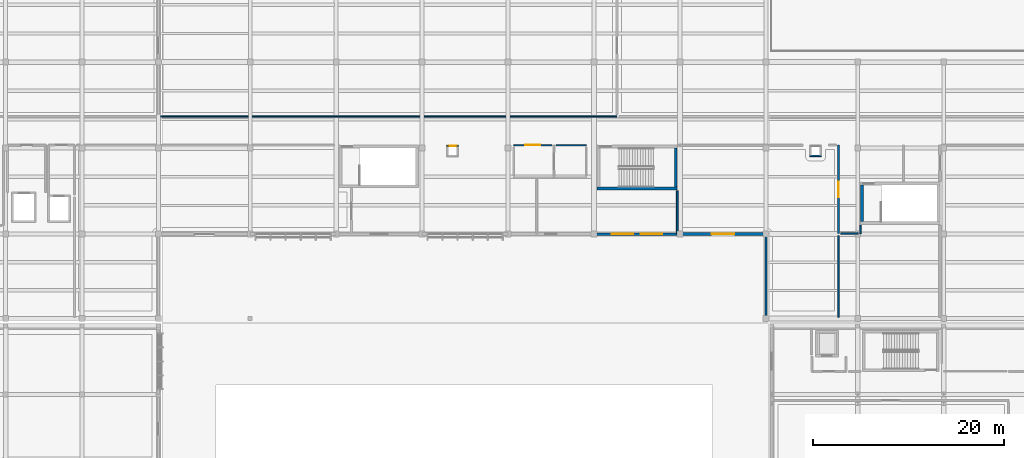
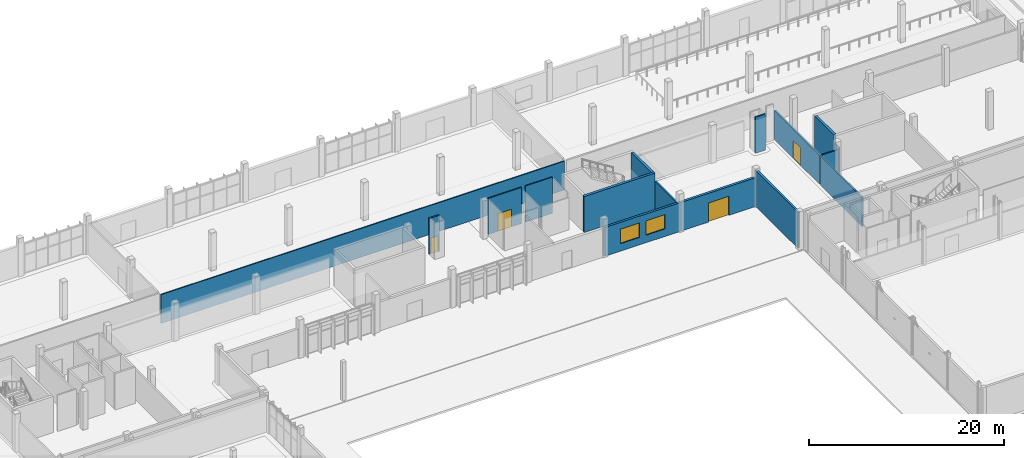
# One storey, part 124 of 151: 16 walls, 4 doors, 2 windows, 6 openings.
"""IFC4 building model written with IfcOpenShell, lengths in metres."""

from ifc_helpers import new_model, si_unit, direction, frame, frame_2d, origin, place, context, subcontext, project, spatial, rectangle, extrude, material, layer, layer_set, type_object, element, fill, save


model = new_model("IFC4")

# Units and contexts
model_context = context("Model", 3, precision=1e-05, world=origin(), true_north=direction((0.0, 1.0)))
body_context = subcontext(model_context, "Body", "Model", "MODEL_VIEW")
ifc_project = project(units=[si_unit("LENGTHUNIT", "METRE"), si_unit("AREAUNIT", "SQUARE_METRE"), si_unit("VOLUMEUNIT", "CUBIC_METRE"), si_unit("PLANEANGLEUNIT", "RADIAN"), si_unit("MASSUNIT", "GRAM", prefix="KILO")], contexts=[model_context])

# Site, building, storey
site_placement = place(None, origin())
site = spatial("IfcSite", under=ifc_project, at=site_placement, CompositionType="ELEMENT")
building_placement = place(site_placement, origin())
building = spatial("IfcBuilding", under=site, at=building_placement, Name="Chiffa Square Polytechnic", CompositionType="ELEMENT")
storey_placement = place(building_placement, origin())
storey = spatial("IfcBuildingStorey", under=building, at=storey_placement, Name="L00", CompositionType="ELEMENT", Elevation=0.0)

# Walls
ifc_material_1 = material(Name="Concrete C40/50", Category="concrete")
ifc_layer_1 = layer(ifc_material_1, 0.300048828125, Name="Concrete C40/50")
ifc_layer_set_1 = layer_set([ifc_layer_1], Name="Concrete C40/50")
wall_type_1 = type_object("IfcWallType", Name="WL-CORE-300", PredefinedType="SHEAR", material=ifc_layer_set_1)
wall_1_placement = place(storey_placement, frame((93.89990234375, 108.550048828125, 0.0), z_axis=(0.0, 0.0, 1.0), x_axis=(1.0, 0.0, 0.0)))
element("IfcWall", 1, at=wall_1_placement, inside=storey, type_object=wall_type_1, Name="Core or enclosure wall WC-CORE-V5B-L00-SOUTH", PredefinedType="SHEAR", context=body_context, shape_type="SweptSolid", body=[
    extrude(rectangle(XDim=8.400146484375, YDim=0.300048828125, at=frame_2d((4.2001953125, 0.0))), origin(), (0.0, 0.0, 1.0), 4.52001953125),
])
wall_2_placement = place(storey_placement, frame((102.14990234375, 108.699951171875, 0.0), z_axis=(0.0, 0.0, 1.0), x_axis=(0.0, 1.0, 0.0)))
element("IfcWall", 2, at=wall_2_placement, inside=storey, type_object=wall_type_1, Name="Core or enclosure wall WC-CORE-V5B-L00-EAST", PredefinedType="SHEAR", context=body_context, shape_type="SweptSolid", body=[
    extrude(rectangle(XDim=4.10009765625, YDim=0.300048828125, at=frame_2d((2.050048828125, 0.0))), origin(), (0.0, 0.0, 1.0), 4.52001953125),
])
wall_3_placement = place(storey_placement, frame((121.64990234375, 105.10009765625, 0.0), z_axis=(0.0, 0.0, 1.0), x_axis=(0.0, 1.0, 0.0)))
element("IfcWall", 3, at=wall_3_placement, inside=storey, type_object=wall_type_1, Name="Core or enclosure wall WC-CORE-B1E-L00-WEST", PredefinedType="SHEAR", context=body_context, shape_type="SweptSolid", body=[
    extrude(rectangle(XDim=3.849853515625, YDim=0.300048828125, at=frame_2d((1.9248046875, 0.0))), origin(), (0.0, 0.0, 1.0), 4.60009765625),
])

# Wall, openings, windows
ifc_material_2 = material(Name="Precast concrete C40/50", Category="concrete")
ifc_layer_2 = layer(ifc_material_2, 0.260009765625, Name="Precast concrete C40/50")
ifc_layer_set_2 = layer_set([ifc_layer_2], Name="Precast concrete C40/50")
wall_type_2 = type_object("IfcWallType", Name="WL-EXT-PC260", PredefinedType="SOLIDWALL", material=ifc_layer_set_2)
wall_4_placement = place(storey_placement, frame((93.60009765625, 103.800048828125, 0.0), z_axis=(0.0, 0.0, 1.0), x_axis=(1.0, 0.0, 0.0)))
wall_4 = element("IfcWall", 4, at=wall_4_placement, inside=storey, type_object=wall_type_2, Name="Exterior wall WE-V5-L00-0228", PredefinedType="SOLIDWALL", context=body_context, shape_type="SweptSolid", body=[
    extrude(rectangle(XDim=9.0, YDim=0.260009765625, at=frame_2d((4.5, 0.0))), origin(), (0.0, 0.0, 1.0), 3.60498046875),
])
opening_1_placement = place(wall_4_placement, frame((1.875, 0.0, 0.949951171875)))
opening_1 = element("IfcOpeningElement", 5, at=opening_1_placement, cuts=wall_4, Name="Opening W-02", PredefinedType="OPENING", context=body_context, shape_type="SweptSolid", body=[
    extrude(rectangle(XDim=2.25, YDim=1.800048828125, at=frame_2d((1.125, 0.89990234375))), frame((0.0, 0.14013671875, 0.0), z_axis=(0.0, -1.0, 0.0), x_axis=(1.0, 0.0, 0.0)), (0.0, 0.0, 1.0), 0.280029296875),
])
opening_2_placement = place(wall_4_placement, frame((4.875, 0.0, 0.949951171875)))
opening_2 = element("IfcOpeningElement", 6, at=opening_2_placement, cuts=wall_4, Name="Opening W-02", PredefinedType="OPENING", context=body_context, shape_type="SweptSolid", body=[
    extrude(rectangle(XDim=2.25, YDim=1.800048828125, at=frame_2d((1.125, 0.89990234375))), frame((0.0, 0.14013671875, 0.0), z_axis=(0.0, -1.0, 0.0), x_axis=(1.0, 0.0, 0.0)), (0.0, 0.0, 1.0), 0.280029296875),
])
ifc_material_3 = material(Name="Double glazing in thermally broken aluminium frame", Category="aluminium")
window_type = type_object("IfcWindowType", Name="WIN-LAB-2250X1800", PartitioningType="DOUBLE_PANEL_VERTICAL", PredefinedType="WINDOW", material=ifc_material_3)
window_1_placement = place(opening_1_placement, origin())
window_1 = element("IfcWindow", 7, at=window_1_placement, inside=storey, type_object=window_type, Name="Facade window WN-L00-0148", OverallHeight=1.800048828125, OverallWidth=2.25, PartitioningType="DOUBLE_PANEL_VERTICAL", PredefinedType="WINDOW", context=body_context, shape_type="SweptSolid", body=[
    extrude(rectangle(XDim=2.25, YDim=1.800048828125, at=frame_2d((1.125, 0.89990234375))), frame((0.0, 0.030029296875, 0.0), z_axis=(0.0, -1.0, 0.0), x_axis=(1.0, 0.0, 0.0)), (0.0, 0.0, 1.0), 0.06005859375),
])
fill(opening_1, window_1)
window_2_placement = place(opening_2_placement, origin())
window_2 = element("IfcWindow", 8, at=window_2_placement, inside=storey, type_object=window_type, Name="Facade window WN-L00-0149", OverallHeight=1.800048828125, OverallWidth=2.25, PartitioningType="DOUBLE_PANEL_VERTICAL", PredefinedType="WINDOW", context=body_context, shape_type="SweptSolid", body=[
    extrude(rectangle(XDim=2.25, YDim=1.800048828125, at=frame_2d((1.125, 0.89990234375))), frame((0.0, 0.030029296875, 0.0), z_axis=(0.0, -1.0, 0.0), x_axis=(1.0, 0.0, 0.0)), (0.0, 0.0, 1.0), 0.06005859375),
])
fill(opening_2, window_2)

# Wall, opening, door
ifc_layer_3 = layer(ifc_material_2, 0.280029296875, Name="Precast concrete C40/50")
ifc_layer_set_3 = layer_set([ifc_layer_3], Name="Precast concrete C40/50")
wall_type_3 = type_object("IfcWallType", Name="WL-EXT-PC280", PredefinedType="SOLIDWALL", material=ifc_layer_set_3)
wall_5_placement = place(storey_placement, frame((102.60009765625, 103.800048828125, 0.0), z_axis=(0.0, 0.0, 1.0), x_axis=(1.0, 0.0, 0.0)))
wall_5 = element("IfcWall", 9, at=wall_5_placement, inside=storey, type_object=wall_type_3, Name="Exterior wall WE-V5-L00-0229", PredefinedType="SOLIDWALL", context=body_context, shape_type="SweptSolid", body=[
    extrude(rectangle(XDim=9.0, YDim=0.280029296875, at=frame_2d((4.5, 0.0))), origin(), (0.0, 0.0, 1.0), 3.60498046875),
])
opening_3_placement = place(wall_5_placement, frame((3.300048828125, 0.0, 0.0)))
opening_3 = element("IfcOpeningElement", 10, at=opening_3_placement, cuts=wall_5, Name="Opening DE-L00-045", PredefinedType="OPENING", context=body_context, shape_type="SweptSolid", body=[
    extrude(rectangle(XDim=2.39990234375, YDim=2.39990234375, at=frame_2d((1.199951171875, 1.199951171875))), frame((0.0, 0.14990234375, 0.0), z_axis=(0.0, -1.0, 0.0), x_axis=(1.0, 0.0, 0.0)), (0.0, 0.0, 1.0), 0.300048828125),
])
ifc_material_4 = material(Name="Aluminium and laminated safety glass", Category="aluminium")
door_type_1 = type_object("IfcDoorType", Name="DR-EXIT-DBL-2400", OperationType="DOUBLE_DOOR_SINGLE_SWING", PredefinedType="DOOR", material=ifc_material_4)
door_1_placement = place(opening_3_placement, origin())
door_1 = element("IfcDoor", 11, at=door_1_placement, inside=storey, type_object=door_type_1, Name="Exterior door DE-L00-045", OperationType="DOUBLE_DOOR_SINGLE_SWING", OverallHeight=2.39990234375, OverallWidth=2.39990234375, PredefinedType="DOOR", context=body_context, shape_type="SweptSolid", body=[
    extrude(rectangle(XDim=2.39990234375, YDim=2.39990234375, at=frame_2d((1.199951171875, 1.199951171875))), frame((0.0, 0.02490234375, 0.0), z_axis=(0.0, -1.0, 0.0), x_axis=(1.0, 0.0, 0.0)), (0.0, 0.0, 1.0), 0.050048828125),
])
fill(opening_3, door_1)

# Wall
ifc_material_5 = material(Name="Gypsum board on steel stud", Category="steel")
ifc_layer_4 = layer(ifc_material_5, 0.125, Name="Gypsum board on steel stud")
ifc_layer_set_4 = layer_set([ifc_layer_4], Name="Gypsum board on steel stud")
wall_type_4 = type_object("IfcWallType", Name="WL-PART-125", PredefinedType="PARTITIONING", material=ifc_layer_set_4)
wall_6_placement = place(storey_placement, frame((48.219970703125, 116.10009765625, 0.0), z_axis=(0.0, 0.0, 1.0), x_axis=(1.0, 0.0, 0.0)))
element("IfcWall", 12, at=wall_6_placement, inside=storey, type_object=wall_type_4, Name="Interior partition WP-V5-L00-0191", PredefinedType="PARTITIONING", context=body_context, shape_type="SweptSolid", body=[
    extrude(rectangle(XDim=47.780029296875, YDim=0.125, at=frame_2d((23.89013671875, 0.0))), origin(), (0.0, 0.0, 1.0), 3.60498046875),
])

# Wall, opening, door
ifc_material_6 = material(Name="Gypsum board on acoustic steel stud", Category="steel")
ifc_layer_5 = layer(ifc_material_6, 0.159912109375, Name="Gypsum board on acoustic steel stud")
ifc_layer_set_5 = layer_set([ifc_layer_5], Name="Gypsum board on acoustic steel stud")
wall_type_5 = type_object("IfcWallType", Name="WL-PART-EI60-160", PredefinedType="PARTITIONING", material=ifc_layer_set_5)
wall_7_placement = place(storey_placement, frame((78.199951171875, 113.02001953125, 0.0), z_axis=(0.0, 0.0, 1.0), x_axis=(1.0, 0.0, 0.0)))
wall_7 = element("IfcWall", 13, at=wall_7_placement, inside=storey, type_object=wall_type_5, Name="Core or enclosure wall WP-RSR-V5-M-L00-NORTH", PredefinedType="PARTITIONING", context=body_context, shape_type="SweptSolid", body=[
    extrude(rectangle(XDim=1.199951171875, YDim=0.159912109375, at=frame_2d((0.60009765625, 0.0))), origin(), (0.0, 0.0, 1.0), 4.52001953125),
])
opening_4_placement = place(wall_7_placement, frame((0.175048828125, 0.0, 0.0)))
opening_4 = element("IfcOpeningElement", 14, at=opening_4_placement, cuts=wall_7, Name="Opening DI-L00-R08", PredefinedType="OPENING", context=body_context, shape_type="SweptSolid", body=[
    extrude(rectangle(XDim=0.85009765625, YDim=2.02001953125, at=frame_2d((0.425048828125, 1.010009765625))), frame((0.0, 0.08984375, 0.0), z_axis=(0.0, -1.0, 0.0), x_axis=(1.0, 0.0, 0.0)), (0.0, 0.0, 1.0), 0.179931640625),
])
ifc_material_7 = material(Name="Fire-rated steel riser access door", Category="steel")
door_type_2 = type_object("IfcDoorType", Name="DR-RISER-850", OperationType="NOTDEFINED", PredefinedType="DOOR", material=ifc_material_7)
door_2_placement = place(opening_4_placement, origin())
door_2 = element("IfcDoor", 15, at=door_2_placement, inside=storey, type_object=door_type_2, Name="Enclosure door DI-L00-R08", OperationType="SINGLE_SWING_RIGHT", OverallHeight=2.02001953125, OverallWidth=0.85009765625, PredefinedType="DOOR", context=body_context, shape_type="SweptSolid", body=[
    extrude(rectangle(XDim=0.85009765625, YDim=2.02001953125, at=frame_2d((0.425048828125, 1.010009765625))), frame((0.0, 0.02490234375, 0.0), z_axis=(0.0, -1.0, 0.0), x_axis=(1.0, 0.0, 0.0)), (0.0, 0.0, 1.0), 0.050048828125),
])
fill(opening_4, door_2)

# Walls
wall_8_placement = place(storey_placement, frame((116.199951171875, 111.97998046875, 0.0), z_axis=(0.0, 0.0, 1.0), x_axis=(1.0, 0.0, 0.0)))
element("IfcWall", 16, at=wall_8_placement, inside=storey, type_object=wall_type_5, Name="Core or enclosure wall WP-RSR-V5-E-L00-SOUTH", PredefinedType="PARTITIONING", context=body_context, shape_type="SweptSolid", body=[
    extrude(rectangle(XDim=1.199951171875, YDim=0.159912109375, at=frame_2d((0.60009765625, 0.0))), origin(), (0.0, 0.0, 1.0), 4.52001953125),
])
wall_9_placement = place(storey_placement, frame((119.199951171875, 95.10498046875, 0.0), z_axis=(0.0, 0.0, 1.0), x_axis=(0.0, 1.0, 0.0)))
element("IfcWall", 17, at=wall_9_placement, inside=storey, type_object=wall_type_5, Name="Interior partition WP-V5-L00-0155", PredefinedType="PARTITIONING", context=body_context, shape_type="SweptSolid", body=[
    extrude(rectangle(XDim=8.52490234375, YDim=0.159912109375, at=frame_2d((4.262451171875, 0.0))), origin(), (0.0, 0.0, 1.0), 3.60498046875),
])
wall_10_placement = place(storey_placement, frame((121.5, 103.85009765625, 0.0), z_axis=(0.0, 0.0, 1.0), x_axis=(0.0, 1.0, 0.0)))
element("IfcWall", 18, at=wall_10_placement, inside=storey, type_object=wall_type_5, Name="Interior partition WP-V5-L00-0215", PredefinedType="PARTITIONING", context=body_context, shape_type="SweptSolid", body=[
    extrude(rectangle(XDim=0.85986328125, YDim=0.159912109375, at=frame_2d((0.429931640625, 0.0))), origin(), (0.0, 0.0, 1.0), 3.7548828125),
])
wall_11_placement = place(storey_placement, frame((119.419921875, 103.85009765625, 0.0), z_axis=(0.0, 0.0, 1.0), x_axis=(1.0, 0.0, 0.0)))
element("IfcWall", 19, at=wall_11_placement, inside=storey, type_object=wall_type_5, Name="Interior partition WP-V5-L00-0216", PredefinedType="PARTITIONING", context=body_context, shape_type="SweptSolid", body=[
    extrude(rectangle(XDim=1.860107421875, YDim=0.159912109375, at=frame_2d((0.93017578125, 0.0))), origin(), (0.0, 0.0, 1.0), 3.60498046875),
])

# Wall, opening, door
ifc_material_8 = material(Name="Gypsum board on twin steel stud", Category="steel")
ifc_layer_6 = layer(ifc_material_8, 0.18505859375, Name="Gypsum board on twin steel stud")
ifc_layer_set_6 = layer_set([ifc_layer_6], Name="Gypsum board on twin steel stud")
wall_type_6 = type_object("IfcWallType", Name="WL-PART-EI90-185", PredefinedType="PARTITIONING", material=ifc_layer_set_6)
wall_12_placement = place(storey_placement, frame((119.199951171875, 103.85009765625, 0.0), z_axis=(0.0, 0.0, 1.0), x_axis=(0.0, 1.0, 0.0)))
wall_12 = element("IfcWall", 20, at=wall_12_placement, inside=storey, type_object=wall_type_6, Name="Interior partition WP-V5-L00-0152", PredefinedType="PARTITIONING", context=body_context, shape_type="SweptSolid", body=[
    extrude(rectangle(XDim=9.25, YDim=0.18505859375, at=frame_2d((4.625, 0.0))), origin(), (0.0, 0.0, 1.0), 3.60498046875),
])
opening_5_placement = place(wall_12_placement, frame((3.824951171875, 0.0, 0.0)))
opening_5 = element("IfcOpeningElement", 21, at=opening_5_placement, cuts=wall_12, Name="Opening DI-L00-095", PredefinedType="OPENING", context=body_context, shape_type="SweptSolid", body=[
    extrude(rectangle(XDim=1.60009765625, YDim=2.199951171875, at=frame_2d((0.800048828125, 1.10009765625))), frame((0.0, 0.1025390625, 0.0), z_axis=(0.0, -1.0, 0.0), x_axis=(1.0, 0.0, 0.0)), (0.0, 0.0, 1.0), 0.205078125),
])
ifc_material_9 = material(Name="Vision-panel timber laboratory door", Category="wood")
door_type_3 = type_object("IfcDoorType", Name="DR-LAB-DBL-1600", OperationType="DOUBLE_DOOR_SINGLE_SWING", PredefinedType="DOOR", material=ifc_material_9)
door_3_placement = place(opening_5_placement, origin())
door_3 = element("IfcDoor", 22, at=door_3_placement, inside=storey, type_object=door_type_3, Name="Interior room door DI-L00-095", OperationType="DOUBLE_DOOR_SINGLE_SWING", OverallHeight=2.199951171875, OverallWidth=1.60009765625, PredefinedType="DOOR", context=body_context, shape_type="SweptSolid", body=[
    extrude(rectangle(XDim=1.60009765625, YDim=2.199951171875, at=frame_2d((0.800048828125, 1.10009765625))), frame((0.0, 0.02490234375, 0.0), z_axis=(0.0, -1.0, 0.0), x_axis=(1.0, 0.0, 0.0)), (0.0, 0.0, 1.0), 0.050048828125),
])
fill(opening_5, door_3)

# Walls
wall_13_placement = place(storey_placement, frame((102.300048828125, 103.85498046875, 0.0), z_axis=(0.0, 0.0, 1.0), x_axis=(0.0, 1.0, 0.0)))
element("IfcWall", 23, at=wall_13_placement, inside=storey, type_object=wall_type_6, Name="Interior partition WP-V5-L00-0156", PredefinedType="PARTITIONING", context=body_context, shape_type="SweptSolid", body=[
    extrude(rectangle(XDim=4.455078125, YDim=0.18505859375, at=frame_2d((2.2275390625, 0.0))), origin(), (0.0, 0.0, 1.0), 3.60498046875),
])
ifc_material_10 = material(Name="Moisture-resistant board partition")
ifc_layer_7 = layer(ifc_material_10, 0.1201171875, Name="Moisture-resistant board partition")
ifc_layer_set_7 = layer_set([ifc_layer_7], Name="Moisture-resistant board partition")
wall_type_7 = type_object("IfcWallType", Name="WL-PART-WC-120", PredefinedType="PARTITIONING", material=ifc_layer_set_7)
wall_14_placement = place(storey_placement, frame((89.6201171875, 113.10009765625, 0.0), z_axis=(0.0, 0.0, 1.0), x_axis=(1.0, 0.0, 0.0)))
element("IfcWall", 24, at=wall_14_placement, inside=storey, type_object=wall_type_7, Name="Interior partition WP-V5-L00-0072", PredefinedType="PARTITIONING", context=body_context, shape_type="SweptSolid", body=[
    extrude(rectangle(XDim=3.179931640625, YDim=0.1201171875, at=frame_2d((1.58984375, 0.0))), origin(), (0.0, 0.0, 1.0), 4.52001953125),
])

# Wall, opening, door
wall_15_placement = place(storey_placement, frame((85.199951171875, 113.10009765625, 0.0), z_axis=(0.0, 0.0, 1.0), x_axis=(1.0, 0.0, 0.0)))
wall_15 = element("IfcWall", 25, at=wall_15_placement, inside=storey, type_object=wall_type_7, Name="Interior partition WP-V5-L00-0088", PredefinedType="PARTITIONING", context=body_context, shape_type="SweptSolid", body=[
    extrude(rectangle(XDim=3.97998046875, YDim=0.1201171875, at=frame_2d((1.989990234375, 0.0))), origin(), (0.0, 0.0, 1.0), 4.52001953125),
])
opening_6_placement = place(wall_15_placement, frame((1.18994140625, 0.0, 0.0)))
opening_6 = element("IfcOpeningElement", 26, at=opening_6_placement, cuts=wall_15, Name="Opening DI-L00-071", PredefinedType="OPENING", context=body_context, shape_type="SweptSolid", body=[
    extrude(rectangle(XDim=1.60009765625, YDim=2.199951171875, at=frame_2d((0.800048828125, 1.10009765625))), frame((0.0, 0.070068359375, 0.0), z_axis=(0.0, -1.0, 0.0), x_axis=(1.0, 0.0, 0.0)), (0.0, 0.0, 1.0), 0.14013671875),
])
door_4_placement = place(opening_6_placement, origin())
door_4 = element("IfcDoor", 27, at=door_4_placement, inside=storey, type_object=door_type_3, Name="Interior room door DI-L00-071", OperationType="DOUBLE_DOOR_SINGLE_SWING", OverallHeight=2.199951171875, OverallWidth=1.60009765625, PredefinedType="DOOR", context=body_context, shape_type="SweptSolid", body=[
    extrude(rectangle(XDim=1.60009765625, YDim=2.199951171875, at=frame_2d((0.800048828125, 1.10009765625))), frame((0.0, 0.02490234375, 0.0), z_axis=(0.0, -1.0, 0.0), x_axis=(1.0, 0.0, 0.0)), (0.0, 0.0, 1.0), 0.050048828125),
])
fill(opening_6, door_4)

# Wall
ifc_material_11 = material(Name="Concrete C35/45", Category="concrete")
ifc_layer_8 = layer(ifc_material_11, 0.25, Name="Concrete C35/45")
ifc_layer_set_8 = layer_set([ifc_layer_8], Name="Concrete C35/45")
wall_type_8 = type_object("IfcWallType", Name="WL-SJ-250", PredefinedType="SHEAR", material=ifc_layer_set_8)
wall_16_placement = place(storey_placement, frame((111.60009765625, 103.800048828125, 0.0), z_axis=(0.0, 0.0, 1.0), x_axis=(0.0, -1.0, 0.0)))
element("IfcWall", 28, at=wall_16_placement, inside=storey, type_object=wall_type_8, Name="Seismic-joint fire wall WE-V5-L00-0230", PredefinedType="SHEAR", context=body_context, shape_type="SweptSolid", body=[
    extrude(rectangle(XDim=8.75, YDim=0.25, at=frame_2d((4.375, 0.0))), origin(), (0.0, 0.0, 1.0), 4.52001953125),
])

save(model, "model.ifc")
